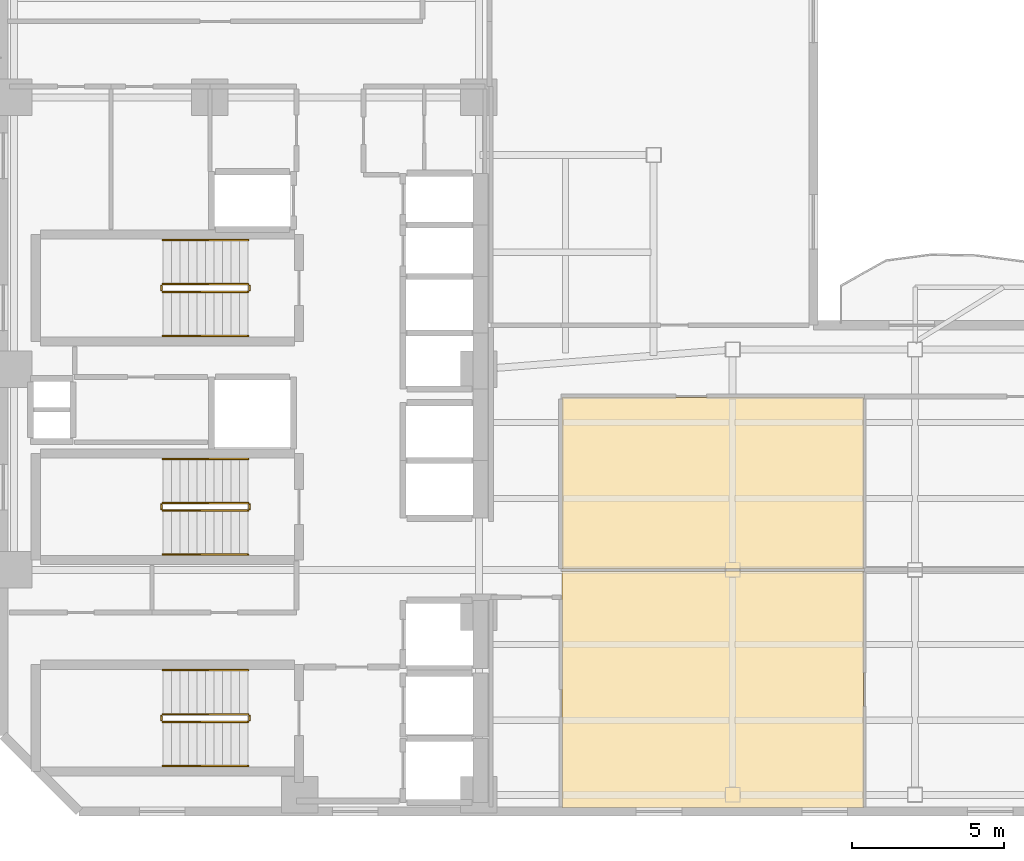
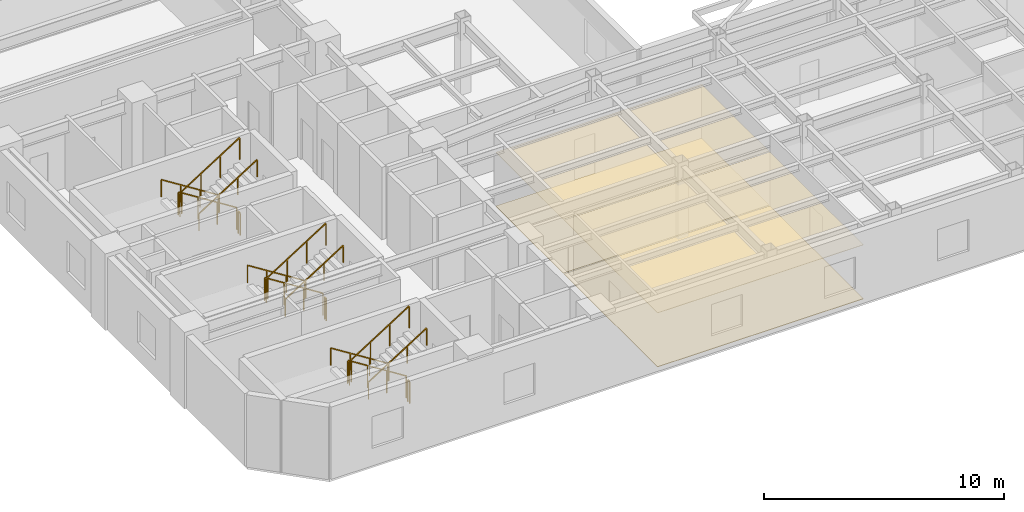
# One storey, part 7 of 9: 18 railings, 4 coverings.
"""IFC4 building model written with IfcOpenShell, lengths in metres."""

from ifc_helpers import new_model, si_unit, direction, frame, origin, origin_2d, place, context, subcontext, project, spatial, polyline, rectangle, outline, extrude, material, layer, layer_set, type_object, element, save


model = new_model("IFC4")

# Units and contexts
model_context = context("Model", 3, precision=1e-05, world=origin(), true_north=direction((0.0, 1.0)))
body_context = subcontext(model_context, "Body", "Model", "MODEL_VIEW")
ifc_project = project(units=[si_unit("LENGTHUNIT", "METRE"), si_unit("AREAUNIT", "SQUARE_METRE"), si_unit("VOLUMEUNIT", "CUBIC_METRE"), si_unit("PLANEANGLEUNIT", "RADIAN"), si_unit("MASSUNIT", "GRAM", prefix="KILO")], contexts=[model_context])

# Site, building, storey
site_placement = place(None, origin())
site = spatial("IfcSite", under=ifc_project, at=site_placement, CompositionType="ELEMENT")
building_placement = place(site_placement, origin())
building = spatial("IfcBuilding", under=site, at=building_placement, Name="Mawjaban Terraces University", CompositionType="ELEMENT")
storey_placement = place(building_placement, frame((0.0, 0.0, 107.300048828125)))
storey = spatial("IfcBuildingStorey", under=building, at=storey_placement, Name="L25", CompositionType="ELEMENT", Elevation=107.300048828125)

# Coverings
ifc_material_1 = material(Name="Acoustic mineral fibre ceiling tile", Category="masonry")
ifc_layer_1 = layer(ifc_material_1, 0.02001953125)
ifc_layer_set_1 = layer_set([ifc_layer_1], Name="Acoustic mineral fibre ceiling tile")
covering_type_1 = type_object("IfcCoveringType", Name="AcousticMineralCeiling_20", PredefinedType="CEILING", material=ifc_layer_set_1)
covering_1_placement = place(storey_placement, frame((0.0, 0.0, 2.75)))
element("IfcCovering", 1, at=covering_1_placement, inside=storey, type_object=covering_type_1, Name="L25 Seminar Room 2 Acoustic Ceiling", PredefinedType="CEILING", context=body_context, shape_type="SweptSolid", body=[
    extrude(outline(polyline([(40.3798828125, 0.114990234375), (50.302001953125, 0.114990234375), (50.302001953125, 7.919921875), (40.3798828125, 7.919921875), (40.3798828125, 0.114990234375)])), origin(), (0.0, 0.0, 1.0), 0.02001953125),
])
covering_2_placement = place(storey_placement, frame((0.0, 0.0, 2.75)))
element("IfcCovering", 2, at=covering_2_placement, inside=storey, type_object=covering_type_1, Name="L25 Classroom 3 Acoustic Ceiling", PredefinedType="CEILING", context=body_context, shape_type="SweptSolid", body=[
    extrude(outline(polyline([(50.302001953125, 7.97998046875), (50.302001953125, 13.6201171875), (40.3798828125, 13.6201171875), (40.3798828125, 7.97998046875), (50.302001953125, 7.97998046875)])), origin(), (0.0, 0.0, 1.0), 0.02001953125),
])

# Railings
ifc_material_2 = material(Name="Brushed stainless steel 316", Category="steel")
railing_type_1 = type_object("IfcRailingType", Name="StairWallHandrail_900", PredefinedType="HANDRAIL", material=ifc_material_2)
railing_1_placement = place(storey_placement, frame((30.050048828125, 4.64990234375, 0.17724609375)))
element("IfcRailing", 3, at=railing_1_placement, inside=storey, type_object=railing_type_1, Name="L25 ST-1 stair handrail 1", PredefinedType="HANDRAIL", context=body_context, shape_type="SweptSolid", body=[
    extrude(rectangle(XDim=0.048095703125, YDim=0.048095703125, at=origin_2d()), frame((0.0, 0.0, 0.8759765625), z_axis=(-0.844908973607, 0.0, 0.534910110503), x_axis=(0.0, -1.0, 0.0)), (0.0, 0.0, 1.0), 3.31396484375),
    extrude(rectangle(XDim=0.0419921875, YDim=0.0419921875, at=origin_2d()), origin(), (0.0, 0.0, 1.0), 0.851806640625),
    extrude(rectangle(XDim=0.0419921875, YDim=0.0419921875, at=origin_2d()), frame((-0.933349609375, 0.0, 0.5908203125)), (0.0, 0.0, 1.0), 0.851806640625),
    extrude(rectangle(XDim=0.0419921875, YDim=0.0419921875, at=origin_2d()), frame((-1.86669921875, 0.0, 1.181884765625)), (0.0, 0.0, 1.0), 0.851806640625),
    extrude(rectangle(XDim=0.0419921875, YDim=0.0419921875, at=origin_2d()), frame((-2.800048828125, 0.0, 1.772705078125)), (0.0, 0.0, 1.0), 0.851806640625),
])
railing_2_placement = place(storey_placement, frame((27.25, 1.5, 2.127197265625)))
element("IfcRailing", 4, at=railing_2_placement, inside=storey, type_object=railing_type_1, Name="L25 ST-1 stair handrail 2", PredefinedType="HANDRAIL", context=body_context, shape_type="SweptSolid", body=[
    extrude(rectangle(XDim=0.048095703125, YDim=0.048095703125, at=origin_2d()), frame((0.0, 0.0, 0.8759765625), z_axis=(0.844908973607, 0.0, 0.534910110503), x_axis=(0.0, 1.0, 0.0)), (0.0, 0.0, 1.0), 3.31396484375),
    extrude(rectangle(XDim=0.0419921875, YDim=0.0419921875, at=origin_2d()), origin(), (0.0, 0.0, 1.0), 0.851806640625),
    extrude(rectangle(XDim=0.0419921875, YDim=0.0419921875, at=origin_2d()), frame((0.933349609375, 0.0, 0.5908203125)), (0.0, 0.0, 1.0), 0.851806640625),
    extrude(rectangle(XDim=0.0419921875, YDim=0.0419921875, at=origin_2d()), frame((1.86669921875, 0.0, 1.181884765625)), (0.0, 0.0, 1.0), 0.851806640625),
    extrude(rectangle(XDim=0.0419921875, YDim=0.0419921875, at=origin_2d()), frame((2.800048828125, 0.0, 1.772705078125)), (0.0, 0.0, 1.0), 0.851806640625),
])
railing_3_placement = place(storey_placement, frame((30.050048828125, 18.800048828125, 0.17724609375)))
element("IfcRailing", 5, at=railing_3_placement, inside=storey, type_object=railing_type_1, Name="L25 ST-2 stair handrail 1", PredefinedType="HANDRAIL", context=body_context, shape_type="SweptSolid", body=[
    extrude(rectangle(XDim=0.048095703125, YDim=0.048095703125, at=origin_2d()), frame((0.0, 0.0, 0.8759765625), z_axis=(-0.844908973607, 0.0, 0.534910110503), x_axis=(0.0, -1.0, 0.0)), (0.0, 0.0, 1.0), 3.31396484375),
    extrude(rectangle(XDim=0.0419921875, YDim=0.0419921875, at=origin_2d()), origin(), (0.0, 0.0, 1.0), 0.851806640625),
    extrude(rectangle(XDim=0.0419921875, YDim=0.0419921875, at=origin_2d()), frame((-0.933349609375, 0.0, 0.5908203125)), (0.0, 0.0, 1.0), 0.851806640625),
    extrude(rectangle(XDim=0.0419921875, YDim=0.0419921875, at=origin_2d()), frame((-1.86669921875, 0.0, 1.181884765625)), (0.0, 0.0, 1.0), 0.851806640625),
    extrude(rectangle(XDim=0.0419921875, YDim=0.0419921875, at=origin_2d()), frame((-2.800048828125, 0.0, 1.772705078125)), (0.0, 0.0, 1.0), 0.851806640625),
])
railing_4_placement = place(storey_placement, frame((27.25, 15.64990234375, 2.127197265625)))
element("IfcRailing", 6, at=railing_4_placement, inside=storey, type_object=railing_type_1, Name="L25 ST-2 stair handrail 2", PredefinedType="HANDRAIL", context=body_context, shape_type="SweptSolid", body=[
    extrude(rectangle(XDim=0.048095703125, YDim=0.048095703125, at=origin_2d()), frame((0.0, 0.0, 0.8759765625), z_axis=(0.844908973607, 0.0, 0.534910110503), x_axis=(0.0, 1.0, 0.0)), (0.0, 0.0, 1.0), 3.31396484375),
    extrude(rectangle(XDim=0.0419921875, YDim=0.0419921875, at=origin_2d()), origin(), (0.0, 0.0, 1.0), 0.851806640625),
    extrude(rectangle(XDim=0.0419921875, YDim=0.0419921875, at=origin_2d()), frame((0.933349609375, 0.0, 0.5908203125)), (0.0, 0.0, 1.0), 0.851806640625),
    extrude(rectangle(XDim=0.0419921875, YDim=0.0419921875, at=origin_2d()), frame((1.86669921875, 0.0, 1.181884765625)), (0.0, 0.0, 1.0), 0.851806640625),
    extrude(rectangle(XDim=0.0419921875, YDim=0.0419921875, at=origin_2d()), frame((2.800048828125, 0.0, 1.772705078125)), (0.0, 0.0, 1.0), 0.851806640625),
])
railing_5_placement = place(storey_placement, frame((30.050048828125, 11.60009765625, 0.17724609375)))
element("IfcRailing", 7, at=railing_5_placement, inside=storey, type_object=railing_type_1, Name="L25 ST-3 stair handrail 1", PredefinedType="HANDRAIL", context=body_context, shape_type="SweptSolid", body=[
    extrude(rectangle(XDim=0.048095703125, YDim=0.048095703125, at=origin_2d()), frame((0.0, 0.0, 0.8759765625), z_axis=(-0.844908973607, 0.0, 0.534910110503), x_axis=(0.0, -1.0, 0.0)), (0.0, 0.0, 1.0), 3.31396484375),
    extrude(rectangle(XDim=0.0419921875, YDim=0.0419921875, at=origin_2d()), origin(), (0.0, 0.0, 1.0), 0.851806640625),
    extrude(rectangle(XDim=0.0419921875, YDim=0.0419921875, at=origin_2d()), frame((-0.933349609375, 0.0, 0.5908203125)), (0.0, 0.0, 1.0), 0.851806640625),
    extrude(rectangle(XDim=0.0419921875, YDim=0.0419921875, at=origin_2d()), frame((-1.86669921875, 0.0, 1.181884765625)), (0.0, 0.0, 1.0), 0.851806640625),
    extrude(rectangle(XDim=0.0419921875, YDim=0.0419921875, at=origin_2d()), frame((-2.800048828125, 0.0, 1.772705078125)), (0.0, 0.0, 1.0), 0.851806640625),
])
railing_6_placement = place(storey_placement, frame((27.25, 8.449951171875, 2.127197265625)))
element("IfcRailing", 8, at=railing_6_placement, inside=storey, type_object=railing_type_1, Name="L25 ST-3 stair handrail 2", PredefinedType="HANDRAIL", context=body_context, shape_type="SweptSolid", body=[
    extrude(rectangle(XDim=0.048095703125, YDim=0.048095703125, at=origin_2d()), frame((0.0, 0.0, 0.8759765625), z_axis=(0.844908973607, 0.0, 0.534910110503), x_axis=(0.0, 1.0, 0.0)), (0.0, 0.0, 1.0), 3.31396484375),
    extrude(rectangle(XDim=0.0419921875, YDim=0.0419921875, at=origin_2d()), origin(), (0.0, 0.0, 1.0), 0.851806640625),
    extrude(rectangle(XDim=0.0419921875, YDim=0.0419921875, at=origin_2d()), frame((0.933349609375, 0.0, 0.5908203125)), (0.0, 0.0, 1.0), 0.851806640625),
    extrude(rectangle(XDim=0.0419921875, YDim=0.0419921875, at=origin_2d()), frame((1.86669921875, 0.0, 1.181884765625)), (0.0, 0.0, 1.0), 0.851806640625),
    extrude(rectangle(XDim=0.0419921875, YDim=0.0419921875, at=origin_2d()), frame((2.800048828125, 0.0, 1.772705078125)), (0.0, 0.0, 1.0), 0.851806640625),
])
ifc_material_3 = material(Name="Galvanised painted steel S355", Category="steel")
railing_type_2 = type_object("IfcRailingType", Name="StairWellGuard_1150", PredefinedType="BALUSTRADE", material=ifc_material_3)
railing_7_placement = place(storey_placement, frame((30.050048828125, 3.199951171875, 0.17724609375)))
element("IfcRailing", 9, at=railing_7_placement, inside=storey, type_object=railing_type_2, Name="L25 ST-1 stair guard 1", PredefinedType="BALUSTRADE", context=body_context, shape_type="SweptSolid", body=[
    extrude(rectangle(XDim=0.048095703125, YDim=0.048095703125, at=origin_2d()), frame((0.0, 0.0, 1.1259765625), z_axis=(-0.844908973607, 0.0, 0.534910110503), x_axis=(0.0, -1.0, 0.0)), (0.0, 0.0, 1.0), 3.31396484375),
    extrude(rectangle(XDim=0.0419921875, YDim=0.0419921875, at=origin_2d()), origin(), (0.0, 0.0, 1.0), 1.101806640625),
    extrude(rectangle(XDim=0.0419921875, YDim=0.0419921875, at=origin_2d()), frame((-0.933349609375, 0.0, 0.5908203125)), (0.0, 0.0, 1.0), 1.101806640625),
    extrude(rectangle(XDim=0.0419921875, YDim=0.0419921875, at=origin_2d()), frame((-1.86669921875, 0.0, 1.181884765625)), (0.0, 0.0, 1.0), 1.101806640625),
    extrude(rectangle(XDim=0.0419921875, YDim=0.0419921875, at=origin_2d()), frame((-2.800048828125, 0.0, 1.772705078125)), (0.0, 0.0, 1.0), 1.101806640625),
])
railing_8_placement = place(storey_placement, frame((27.199951171875, 3.14990234375, 1.949951171875)))
element("IfcRailing", 10, at=railing_8_placement, inside=storey, type_object=railing_type_2, Name="L25 ST-1 stair guard 2", PredefinedType="BALUSTRADE", context=body_context, shape_type="SweptSolid", body=[
    extrude(rectangle(XDim=0.048095703125, YDim=0.048095703125, at=origin_2d()), frame((0.0, 0.0, 1.1259765625), z_axis=(0.0, -1.0, 0.0), x_axis=(1.0, 0.0, 0.0)), (0.0, 0.0, 1.0), 0.14990234375),
    extrude(rectangle(XDim=0.0419921875, YDim=0.0419921875, at=origin_2d()), origin(), (0.0, 0.0, 1.0), 1.101806640625),
    extrude(rectangle(XDim=0.0419921875, YDim=0.0419921875, at=origin_2d()), frame((0.0, -0.14990234375, 0.0)), (0.0, 0.0, 1.0), 1.101806640625),
])
railing_9_placement = place(storey_placement, frame((27.25, 2.949951171875, 2.127197265625)))
element("IfcRailing", 11, at=railing_9_placement, inside=storey, type_object=railing_type_2, Name="L25 ST-1 stair guard 3", PredefinedType="BALUSTRADE", context=body_context, shape_type="SweptSolid", body=[
    extrude(rectangle(XDim=0.048095703125, YDim=0.048095703125, at=origin_2d()), frame((0.0, 0.0, 1.1259765625), z_axis=(0.844908973607, 0.0, 0.534910110503), x_axis=(0.0, 1.0, 0.0)), (0.0, 0.0, 1.0), 3.31396484375),
    extrude(rectangle(XDim=0.0419921875, YDim=0.0419921875, at=origin_2d()), origin(), (0.0, 0.0, 1.0), 1.101806640625),
    extrude(rectangle(XDim=0.0419921875, YDim=0.0419921875, at=origin_2d()), frame((0.933349609375, 0.0, 0.5908203125)), (0.0, 0.0, 1.0), 1.101806640625),
    extrude(rectangle(XDim=0.0419921875, YDim=0.0419921875, at=origin_2d()), frame((1.86669921875, 0.0, 1.181884765625)), (0.0, 0.0, 1.0), 1.101806640625),
    extrude(rectangle(XDim=0.0419921875, YDim=0.0419921875, at=origin_2d()), frame((2.800048828125, 0.0, 1.772705078125)), (0.0, 0.0, 1.0), 1.101806640625),
])
railing_10_placement = place(storey_placement, frame((30.10009765625, 3.14990234375, 0.0)))
element("IfcRailing", 12, at=railing_10_placement, inside=storey, type_object=railing_type_2, Name="L25 ST-1 stair guard 4", PredefinedType="BALUSTRADE", context=body_context, shape_type="SweptSolid", body=[
    extrude(rectangle(XDim=0.048095703125, YDim=0.048095703125, at=origin_2d()), frame((0.0, 0.0, 1.1259765625), z_axis=(0.0, -1.0, 0.0), x_axis=(1.0, 0.0, 0.0)), (0.0, 0.0, 1.0), 0.14990234375),
    extrude(rectangle(XDim=0.0419921875, YDim=0.0419921875, at=origin_2d()), origin(), (0.0, 0.0, 1.0), 1.101806640625),
    extrude(rectangle(XDim=0.0419921875, YDim=0.0419921875, at=origin_2d()), frame((0.0, -0.14990234375, 0.0)), (0.0, 0.0, 1.0), 1.101806640625),
])
railing_11_placement = place(storey_placement, frame((30.050048828125, 17.35009765625, 0.17724609375)))
element("IfcRailing", 13, at=railing_11_placement, inside=storey, type_object=railing_type_2, Name="L25 ST-2 stair guard 1", PredefinedType="BALUSTRADE", context=body_context, shape_type="SweptSolid", body=[
    extrude(rectangle(XDim=0.048095703125, YDim=0.048095703125, at=origin_2d()), frame((0.0, 0.0, 1.1259765625), z_axis=(-0.844908973607, 0.0, 0.534910110503), x_axis=(0.0, -1.0, 0.0)), (0.0, 0.0, 1.0), 3.31396484375),
    extrude(rectangle(XDim=0.0419921875, YDim=0.0419921875, at=origin_2d()), origin(), (0.0, 0.0, 1.0), 1.101806640625),
    extrude(rectangle(XDim=0.0419921875, YDim=0.0419921875, at=origin_2d()), frame((-0.933349609375, 0.0, 0.5908203125)), (0.0, 0.0, 1.0), 1.101806640625),
    extrude(rectangle(XDim=0.0419921875, YDim=0.0419921875, at=origin_2d()), frame((-1.86669921875, 0.0, 1.181884765625)), (0.0, 0.0, 1.0), 1.101806640625),
    extrude(rectangle(XDim=0.0419921875, YDim=0.0419921875, at=origin_2d()), frame((-2.800048828125, 0.0, 1.772705078125)), (0.0, 0.0, 1.0), 1.101806640625),
])
railing_12_placement = place(storey_placement, frame((27.199951171875, 17.300048828125, 1.949951171875)))
element("IfcRailing", 14, at=railing_12_placement, inside=storey, type_object=railing_type_2, Name="L25 ST-2 stair guard 2", PredefinedType="BALUSTRADE", context=body_context, shape_type="SweptSolid", body=[
    extrude(rectangle(XDim=0.048095703125, YDim=0.048095703125, at=origin_2d()), frame((0.0, 0.0, 1.1259765625), z_axis=(0.0, -1.0, 0.0), x_axis=(1.0, 0.0, 0.0)), (0.0, 0.0, 1.0), 0.150146484375),
    extrude(rectangle(XDim=0.0419921875, YDim=0.0419921875, at=origin_2d()), origin(), (0.0, 0.0, 1.0), 1.101806640625),
    extrude(rectangle(XDim=0.0419921875, YDim=0.0419921875, at=origin_2d()), frame((0.0, -0.150146484375, 0.0)), (0.0, 0.0, 1.0), 1.101806640625),
])
railing_13_placement = place(storey_placement, frame((27.25, 17.10009765625, 2.127197265625)))
element("IfcRailing", 15, at=railing_13_placement, inside=storey, type_object=railing_type_2, Name="L25 ST-2 stair guard 3", PredefinedType="BALUSTRADE", context=body_context, shape_type="SweptSolid", body=[
    extrude(rectangle(XDim=0.048095703125, YDim=0.048095703125, at=origin_2d()), frame((0.0, 0.0, 1.1259765625), z_axis=(0.844908973607, 0.0, 0.534910110503), x_axis=(0.0, 1.0, 0.0)), (0.0, 0.0, 1.0), 3.31396484375),
    extrude(rectangle(XDim=0.0419921875, YDim=0.0419921875, at=origin_2d()), origin(), (0.0, 0.0, 1.0), 1.101806640625),
    extrude(rectangle(XDim=0.0419921875, YDim=0.0419921875, at=origin_2d()), frame((0.933349609375, 0.0, 0.5908203125)), (0.0, 0.0, 1.0), 1.101806640625),
    extrude(rectangle(XDim=0.0419921875, YDim=0.0419921875, at=origin_2d()), frame((1.86669921875, 0.0, 1.181884765625)), (0.0, 0.0, 1.0), 1.101806640625),
    extrude(rectangle(XDim=0.0419921875, YDim=0.0419921875, at=origin_2d()), frame((2.800048828125, 0.0, 1.772705078125)), (0.0, 0.0, 1.0), 1.101806640625),
])
railing_14_placement = place(storey_placement, frame((30.10009765625, 17.300048828125, 0.0)))
element("IfcRailing", 16, at=railing_14_placement, inside=storey, type_object=railing_type_2, Name="L25 ST-2 stair guard 4", PredefinedType="BALUSTRADE", context=body_context, shape_type="SweptSolid", body=[
    extrude(rectangle(XDim=0.048095703125, YDim=0.048095703125, at=origin_2d()), frame((0.0, 0.0, 1.1259765625), z_axis=(0.0, -1.0, 0.0), x_axis=(1.0, 0.0, 0.0)), (0.0, 0.0, 1.0), 0.150146484375),
    extrude(rectangle(XDim=0.0419921875, YDim=0.0419921875, at=origin_2d()), origin(), (0.0, 0.0, 1.0), 1.101806640625),
    extrude(rectangle(XDim=0.0419921875, YDim=0.0419921875, at=origin_2d()), frame((0.0, -0.150146484375, 0.0)), (0.0, 0.0, 1.0), 1.101806640625),
])
railing_15_placement = place(storey_placement, frame((30.050048828125, 10.14990234375, 0.17724609375)))
element("IfcRailing", 17, at=railing_15_placement, inside=storey, type_object=railing_type_2, Name="L25 ST-3 stair guard 1", PredefinedType="BALUSTRADE", context=body_context, shape_type="SweptSolid", body=[
    extrude(rectangle(XDim=0.048095703125, YDim=0.048095703125, at=origin_2d()), frame((0.0, 0.0, 1.1259765625), z_axis=(-0.844908973607, 0.0, 0.534910110503), x_axis=(0.0, -1.0, 0.0)), (0.0, 0.0, 1.0), 3.31396484375),
    extrude(rectangle(XDim=0.0419921875, YDim=0.0419921875, at=origin_2d()), origin(), (0.0, 0.0, 1.0), 1.101806640625),
    extrude(rectangle(XDim=0.0419921875, YDim=0.0419921875, at=origin_2d()), frame((-0.933349609375, 0.0, 0.5908203125)), (0.0, 0.0, 1.0), 1.101806640625),
    extrude(rectangle(XDim=0.0419921875, YDim=0.0419921875, at=origin_2d()), frame((-1.86669921875, 0.0, 1.181884765625)), (0.0, 0.0, 1.0), 1.101806640625),
    extrude(rectangle(XDim=0.0419921875, YDim=0.0419921875, at=origin_2d()), frame((-2.800048828125, 0.0, 1.772705078125)), (0.0, 0.0, 1.0), 1.101806640625),
])
railing_16_placement = place(storey_placement, frame((27.199951171875, 10.10009765625, 1.949951171875)))
element("IfcRailing", 18, at=railing_16_placement, inside=storey, type_object=railing_type_2, Name="L25 ST-3 stair guard 2", PredefinedType="BALUSTRADE", context=body_context, shape_type="SweptSolid", body=[
    extrude(rectangle(XDim=0.048095703125, YDim=0.048095703125, at=origin_2d()), frame((0.0, 0.0, 1.1259765625), z_axis=(0.0, -1.0, 0.0), x_axis=(1.0, 0.0, 0.0)), (0.0, 0.0, 1.0), 0.150146484375),
    extrude(rectangle(XDim=0.0419921875, YDim=0.0419921875, at=origin_2d()), origin(), (0.0, 0.0, 1.0), 1.101806640625),
    extrude(rectangle(XDim=0.0419921875, YDim=0.0419921875, at=origin_2d()), frame((0.0, -0.150146484375, 0.0)), (0.0, 0.0, 1.0), 1.101806640625),
])
railing_17_placement = place(storey_placement, frame((27.25, 9.89990234375, 2.127197265625)))
element("IfcRailing", 19, at=railing_17_placement, inside=storey, type_object=railing_type_2, Name="L25 ST-3 stair guard 3", PredefinedType="BALUSTRADE", context=body_context, shape_type="SweptSolid", body=[
    extrude(rectangle(XDim=0.048095703125, YDim=0.048095703125, at=origin_2d()), frame((0.0, 0.0, 1.1259765625), z_axis=(0.844908973607, 0.0, 0.534910110503), x_axis=(0.0, 1.0, 0.0)), (0.0, 0.0, 1.0), 3.31396484375),
    extrude(rectangle(XDim=0.0419921875, YDim=0.0419921875, at=origin_2d()), origin(), (0.0, 0.0, 1.0), 1.101806640625),
    extrude(rectangle(XDim=0.0419921875, YDim=0.0419921875, at=origin_2d()), frame((0.933349609375, 0.0, 0.5908203125)), (0.0, 0.0, 1.0), 1.101806640625),
    extrude(rectangle(XDim=0.0419921875, YDim=0.0419921875, at=origin_2d()), frame((1.86669921875, 0.0, 1.181884765625)), (0.0, 0.0, 1.0), 1.101806640625),
    extrude(rectangle(XDim=0.0419921875, YDim=0.0419921875, at=origin_2d()), frame((2.800048828125, 0.0, 1.772705078125)), (0.0, 0.0, 1.0), 1.101806640625),
])
railing_18_placement = place(storey_placement, frame((30.10009765625, 10.10009765625, 0.0)))
element("IfcRailing", 20, at=railing_18_placement, inside=storey, type_object=railing_type_2, Name="L25 ST-3 stair guard 4", PredefinedType="BALUSTRADE", context=body_context, shape_type="SweptSolid", body=[
    extrude(rectangle(XDim=0.048095703125, YDim=0.048095703125, at=origin_2d()), frame((0.0, 0.0, 1.1259765625), z_axis=(0.0, -1.0, 0.0), x_axis=(1.0, 0.0, 0.0)), (0.0, 0.0, 1.0), 0.150146484375),
    extrude(rectangle(XDim=0.0419921875, YDim=0.0419921875, at=origin_2d()), origin(), (0.0, 0.0, 1.0), 1.101806640625),
    extrude(rectangle(XDim=0.0419921875, YDim=0.0419921875, at=origin_2d()), frame((0.0, -0.150146484375, 0.0)), (0.0, 0.0, 1.0), 1.101806640625),
])

# Coverings
ifc_material_4 = material(Name="Polished Hijazi granite terrazzo flooring", Category="masonry")
ifc_layer_2 = layer(ifc_material_4, 0.02490234375)
ifc_layer_set_2 = layer_set([ifc_layer_2], Name="Polished Hijazi granite terrazzo flooring")
covering_type_2 = type_object("IfcCoveringType", Name="TerrazzoConcourseFlooring_25", PredefinedType="FLOORING", material=ifc_layer_set_2)
covering_3_placement = place(storey_placement, origin())
element("IfcCovering", 21, at=covering_3_placement, inside=storey, type_object=covering_type_2, Name="L25 Seminar Room 2 Terrazzo Flooring", PredefinedType="FLOORING", context=body_context, shape_type="SweptSolid", body=[
    extrude(outline(polyline([(40.3798828125, 0.114990234375), (50.302001953125, 0.114990234375), (50.302001953125, 7.919921875), (40.3798828125, 7.919921875), (40.3798828125, 0.114990234375)])), origin(), (0.0, 0.0, 1.0), 0.02490234375),
])
covering_4_placement = place(storey_placement, origin())
element("IfcCovering", 22, at=covering_4_placement, inside=storey, type_object=covering_type_2, Name="L25 Classroom 3 Terrazzo Flooring", PredefinedType="FLOORING", context=body_context, shape_type="SweptSolid", body=[
    extrude(outline(polyline([(50.302001953125, 7.97998046875), (50.302001953125, 13.6201171875), (40.3798828125, 13.6201171875), (40.3798828125, 7.97998046875), (50.302001953125, 7.97998046875)])), origin(), (0.0, 0.0, 1.0), 0.02490234375),
])

save(model, "model.ifc")
